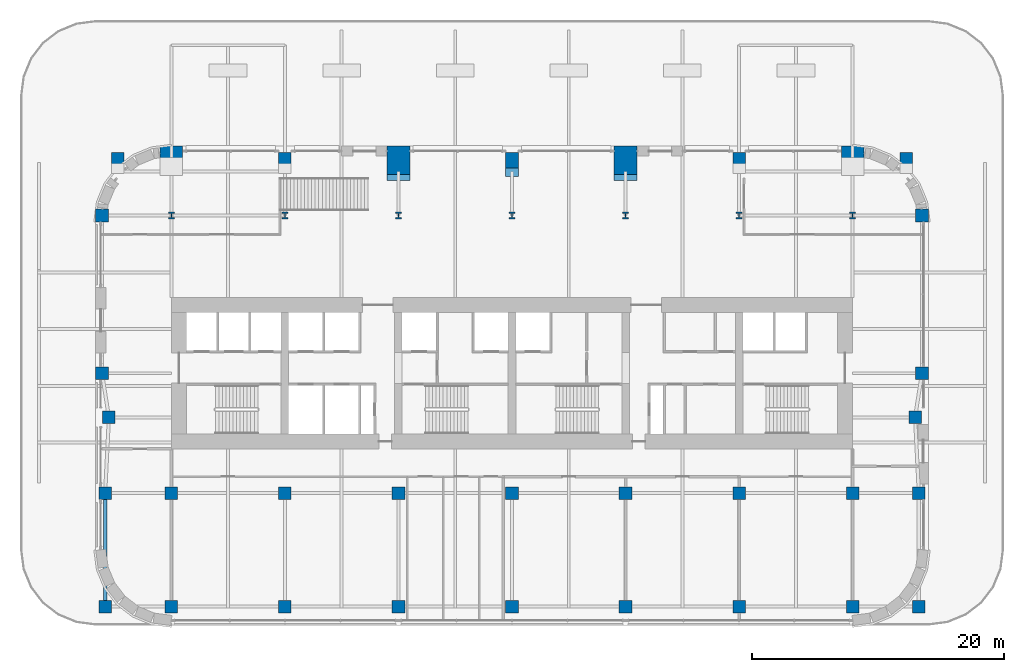
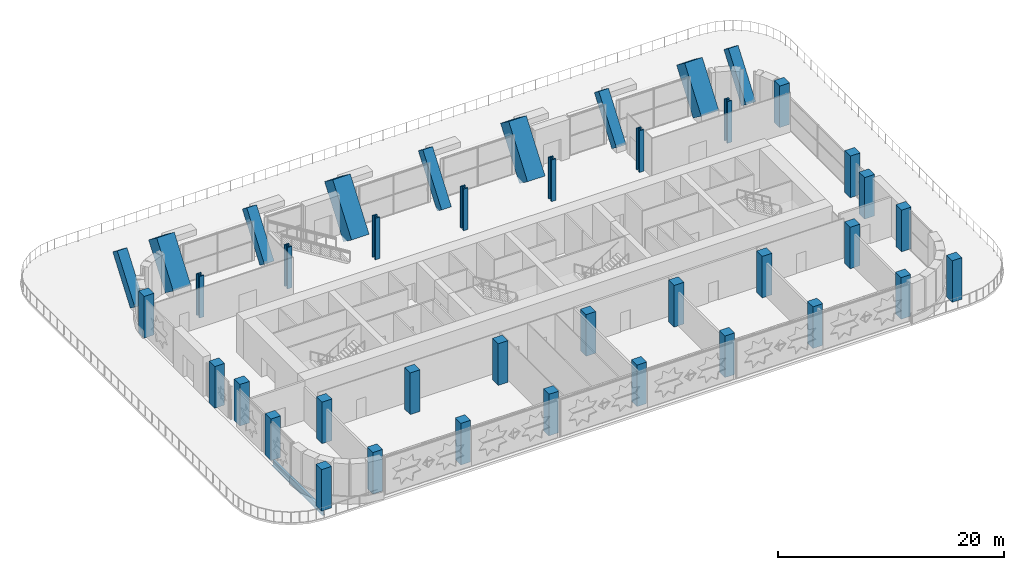
# One storey, part 1 of 26: 40 columns, 1 beam.
"""IFC4 building model written with IfcOpenShell, lengths in metres."""

import ifcopenshell
import ifcopenshell.guid

model = None  # the IFC model being written
_history = None  # IfcOwnerHistory: only IFC2X3 demands one
_inside = {}  # id of a spatial element -> (the spatial element, [elements in it])
_under = {}  # id of a project, library or spatial element -> (it, [spatial elements below it])
_declared = {}  # id of a project -> (the project, [libraries it declares])
_typed = {}  # id of a type object -> (the type object, [elements of that type])
_made_of = {}  # id of a material, layer set ... -> (it, [elements and type objects made of it])


def new_model(schema):
    """Start an empty IFC model of exactly this schema.

    Asked for "IFC4X3", IfcOpenShell would pick the latest addendum, in which some entities
    have other attributes; the version numbers below select the first issue.
    IFC2X3 requires an IfcOwnerHistory on every rooted entity: one is made here for all.
    """
    global model, _history
    if schema == "IFC4X3":
        model = ifcopenshell.file(schema_version=(4, 3, 0, 0))
    else:
        model = ifcopenshell.file(schema=schema)
    _inside.clear()
    _under.clear()
    _declared.clear()
    _typed.clear()
    _made_of.clear()
    _history = None
    if model.schema == "IFC2X3":
        org = make("IfcOrganization", Name="unknown")
        user = make(
            "IfcPersonAndOrganization",
            ThePerson=make("IfcPerson", FamilyName="unknown"),
            TheOrganization=org,
        )
        app = make(
            "IfcApplication",
            ApplicationDeveloper=org,
            Version="unknown",
            ApplicationFullName="unknown",
            ApplicationIdentifier="unknown",
        )
        _history = make(
            "IfcOwnerHistory",
            OwningUser=user,
            OwningApplication=app,
            ChangeAction="ADDED",
            CreationDate=0,
        )
    return model


def make(cls, **values):
    """One entity of the class cls with the attributes given. An attribute that is None is left unset."""
    return model.create_entity(
        cls, **{name: value for name, value in values.items() if value is not None}
    )


def rooted(cls, **values):
    """An entity with a GlobalId (a new one), such as an element, a storey or a relation."""
    return make(cls, GlobalId=ifcopenshell.guid.new(), OwnerHistory=_history, **values)


def si_unit(unit_type, name, prefix=None):
    """IfcSIUnit, for example si_unit("LENGTHUNIT", "METRE", prefix="MILLI")."""
    return make("IfcSIUnit", UnitType=unit_type, Prefix=prefix, Name=name)


def assignment(units):
    """IfcUnitAssignment: the units of a project."""
    return None if units is None else make("IfcUnitAssignment", Units=units)


def point(xyz):
    """IfcCartesianPoint."""
    return None if xyz is None else make("IfcCartesianPoint", Coordinates=xyz)


def direction(xyz):
    """IfcDirection."""
    return None if xyz is None else make("IfcDirection", DirectionRatios=xyz)


def frame(location, z_axis=None, x_axis=None):
    """IfcAxis2Placement3D, a coordinate frame: its origin and axes. An axis left out is left unset."""
    return make(
        "IfcAxis2Placement3D",
        Location=point(location),
        Axis=direction(z_axis),
        RefDirection=direction(x_axis),
    )


def frame_2d(location, x_axis=None):
    """IfcAxis2Placement2D, a coordinate frame in the plane: its origin and x axis."""
    return make(
        "IfcAxis2Placement2D", Location=point(location), RefDirection=direction(x_axis)
    )


def origin():
    """The frame at (0, 0, 0) with its axes left unset."""
    return frame((0.0, 0.0, 0.0))


def origin_2d():
    """The frame at (0, 0) in the plane with its x axis left unset."""
    return frame_2d((0.0, 0.0))


def place(relative_to, where):
    """IfcLocalPlacement: puts the frame where relative to a parent placement (None: the world)."""
    return make(
        "IfcLocalPlacement", PlacementRelTo=relative_to, RelativePlacement=where
    )


def context(
    kind, dimensions, precision=None, world=None, true_north=None, identifier=None
):
    """IfcGeometricRepresentationContext, for example the 3D "Model" context."""
    return make(
        "IfcGeometricRepresentationContext",
        ContextIdentifier=identifier,
        ContextType=kind,
        CoordinateSpaceDimension=dimensions,
        Precision=precision,
        WorldCoordinateSystem=world,
        TrueNorth=true_north,
    )


def subcontext(parent, identifier, kind, view, scale=None):
    """IfcGeometricRepresentationSubContext, for example "Body" below "Model"."""
    return make(
        "IfcGeometricRepresentationSubContext",
        ContextIdentifier=identifier,
        ContextType=kind,
        ParentContext=parent,
        TargetScale=scale,
        TargetView=view,
    )


def project(units=None, contexts=None):
    """IfcProject with its units and contexts."""
    return rooted(
        "IfcProject",
        Name="project",
        RepresentationContexts=contexts,
        UnitsInContext=assignment(units),
    )


def spatial(cls, under=None, at=None, **own):
    """A site, building, storey or space (cls), placed at a placement, below another one or the project."""
    s = rooted(cls, ObjectPlacement=at, **own)
    if under is not None:
        _under.setdefault(under.id(), (under, []))[1].append(s)
    return s


def profile(cls, at=None, kind="AREA", **sizes):
    """A parametric profile (cls). Its sizes go by their IFC names, for example OverallWidth=200.0."""
    return make(cls, ProfileType=kind, Position=at, **sizes)


def rectangle(**sizes):
    """IfcRectangleProfileDef."""
    return profile("IfcRectangleProfileDef", **sizes)


def i_section(**sizes):
    """IfcIShapeProfileDef."""
    return profile("IfcIShapeProfileDef", **sizes)


def extrude(swept, where, along, depth):
    """IfcExtrudedAreaSolid: the profile swept, set in the frame where, extruded along a direction by depth."""
    return make(
        "IfcExtrudedAreaSolid",
        SweptArea=swept,
        Position=where,
        ExtrudedDirection=direction(along),
        Depth=depth,
    )


def clip(a, b, op="DIFFERENCE"):
    """IfcBooleanClippingResult: the solid a cut by the half space b."""
    return make(
        "IfcBooleanClippingResult", Operator=op, FirstOperand=a, SecondOperand=b
    )


def halfspace(plane, agree):
    """IfcHalfSpaceSolid: all space on one side of the plane z = 0 of the frame plane."""
    return make(
        "IfcHalfSpaceSolid",
        BaseSurface=make("IfcPlane", Position=plane),
        AgreementFlag=agree,
    )


def shape(context_of_items, identifier, shape_type, items):
    """IfcShapeRepresentation: the items that make up one representation, for example the "Body"."""
    return make(
        "IfcShapeRepresentation",
        ContextOfItems=context_of_items,
        RepresentationIdentifier=identifier,
        RepresentationType=shape_type,
        Items=items,
    )


def material(Name=None, Category=None):
    """IfcMaterial."""
    return make("IfcMaterial", Name=Name, Category=Category)


def material_profile(
    of_material, cross_section, Name=None, Category=None, Priority=None
):
    """IfcMaterialProfile: a cross section and its material."""
    return make(
        "IfcMaterialProfile",
        Name=Name,
        Material=of_material,
        Profile=cross_section,
        Priority=Priority,
        Category=Category,
    )


def profile_set(profiles, Name=None, composite=None):
    """IfcMaterialProfileSet."""
    return make(
        "IfcMaterialProfileSet",
        Name=Name,
        MaterialProfiles=profiles,
        CompositeProfile=composite,
    )


def made_of(thing, what):
    """Note that an element or type object is made of a material, layer set ...; save() writes the relation."""
    if what is not None:
        _made_of.setdefault(what.id(), (what, []))[1].append(thing)
    return thing


def type_object(cls, material=None, **own):
    """A type object (cls), such as IfcWallType, which elements share."""
    return made_of(rooted(cls, **own), material)


def element(
    cls,
    number,
    at=None,
    inside=None,
    cuts=None,
    type_object=None,
    material=None,
    context=None,
    identifier="Body",
    shape_type=None,
    held_by="IfcProductDefinitionShape",
    body=None,
    shapes=None,
    **own,
):
    """One element of the class cls, such as IfcWall. Its Tag is "e" and its number.

    at: its placement. inside: the storey or other place that contains it. cuts: it is an
    opening in that element (IfcRelVoidsElement). A single representation is given by context,
    identifier, shape_type and body (its items); several are given by shapes. held_by: the class
    of the entity that holds the representations. save() writes the other relations.
    """
    e = rooted(cls, Tag="e%d" % number, ObjectPlacement=at, **own)
    if body is not None:
        shapes = [shape(context, identifier, shape_type, body)]
    if shapes is not None:
        e.Representation = make(held_by, Representations=shapes)
    if inside is not None:
        _inside.setdefault(inside.id(), (inside, []))[1].append(e)
    if cuts is not None:
        rooted(
            "IfcRelVoidsElement", RelatingBuildingElement=cuts, RelatedOpeningElement=e
        )
    if type_object is not None:
        _typed.setdefault(type_object.id(), (type_object, []))[1].append(e)
    return made_of(e, material)


def aggregate(whole, parts):
    """IfcRelAggregates: a whole, such as a stair, and the parts it consists of."""
    return rooted("IfcRelAggregates", RelatingObject=whole, RelatedObjects=parts)


def save(model, path):
    """Write the relations noted so far, then the file.

    IfcRelAggregates (storeys below a building ...), IfcRelContainedInSpatialStructure (elements
    in a storey), IfcRelDefinesByType, IfcRelAssociatesMaterial and IfcRelDeclares: one each for
    every whole, place, type object, material and project.
    """
    for whole, parts in _under.values():
        aggregate(whole, parts)
    for where, things in _inside.values():
        rooted(
            "IfcRelContainedInSpatialStructure",
            RelatedElements=things,
            RelatingStructure=where,
        )
    for kind, things in _typed.values():
        rooted("IfcRelDefinesByType", RelatedObjects=things, RelatingType=kind)
    for what, things in _made_of.values():
        rooted("IfcRelAssociatesMaterial", RelatedObjects=things, RelatingMaterial=what)
    for by, libraries in _declared.values():
        rooted("IfcRelDeclares", RelatingContext=by, RelatedDefinitions=libraries)
    model.write(path)


model = new_model("IFC4")

# Units and contexts
model_context = context("Model", 3, precision=1e-05, world=origin(), true_north=direction((0.0, 1.0)))
body_context = subcontext(model_context, "Body", "Model", "MODEL_VIEW")
ifc_project = project(units=[si_unit("LENGTHUNIT", "METRE"), si_unit("AREAUNIT", "SQUARE_METRE"), si_unit("VOLUMEUNIT", "CUBIC_METRE"), si_unit("PLANEANGLEUNIT", "RADIAN"), si_unit("MASSUNIT", "GRAM", prefix="KILO")], contexts=[model_context])

# Site, building, storey
site_placement = place(None, origin())
site = spatial("IfcSite", under=ifc_project, at=site_placement, CompositionType="ELEMENT")
building_placement = place(site_placement, origin())
building = spatial("IfcBuilding", under=site, at=building_placement, Name="Zellij Exchange Tower", CompositionType="ELEMENT")
storey_placement = place(building_placement, frame((0.0, 0.0, 39.0)))
storey = spatial("IfcBuildingStorey", under=building, at=storey_placement, Name="L06", CompositionType="ELEMENT", Elevation=39.0)

# Columns
ifc_material_1 = material(Name="Concrete C70/85", Category="concrete")
ifc_material_profile_1 = material_profile(ifc_material_1, rectangle(XDim=1.0, YDim=1.0, at=origin_2d()), Name="STR-COLUMN RC1000x1000 C70/85")
ifc_profile_set_1 = profile_set([ifc_material_profile_1], Name="Concrete C70/85")
column_type_1 = type_object("IfcColumnType", Name="STR-COLUMN RC1000x1000 C70/85", PredefinedType="COLUMN", material=ifc_profile_set_1)
for number, where, z_axis, x_axis, name in (
    (1, (-32.25, -26.5, 0.0), (0.0, 0.0, 1.0), (1.0, 0.0, 0.0), "C10"),
    (2, (-27.0, -26.5, 0.0), (0.0, 0.0, 1.0), (1.0, 0.0, 0.0), "C10"),
    (3, (-18.0, -26.5, 0.0), (0.0, 0.0, 1.0), (1.0, 0.0, 0.0), "C10"),
    (4, (-9.0, -26.5, 0.0), (0.0, 0.0, 1.0), (1.0, 0.0, 0.0), "C10"),
    (5, (0.0, -26.5, 0.0), (0.0, 0.0, 1.0), (1.0, 0.0, 0.0), "C10"),
    (6, (9.0, -26.5, 0.0), (0.0, 0.0, 1.0), (1.0, 0.0, 0.0), "C10"),
    (7, (18.0, -26.5, 0.0), (0.0, 0.0, 1.0), (1.0, 0.0, 0.0), "C10"),
    (8, (27.0, -26.5, 0.0), (0.0, 0.0, 1.0), (1.0, 0.0, 0.0), "C10"),
    (9, (32.25, -26.5, 0.0), (0.0, 0.0, 1.0), (1.0, 0.0, 0.0), "C10"),
    (10, (-32.25, -17.5, 0.0), (0.0, 0.0, 1.0), (1.0, 0.0, 0.0), "C10"),
    (11, (-27.0, -17.5, 0.0), (0.0, 0.0, 1.0), (1.0, 0.0, 0.0), "C10"),
    (12, (-18.0, -17.5, 0.0), (0.0, 0.0, 1.0), (1.0, 0.0, 0.0), "C10"),
    (13, (-9.0, -17.5, 0.0), (0.0, 0.0, 1.0), (1.0, 0.0, 0.0), "C10"),
    (14, (0.0, -17.5, 0.0), (0.0, 0.0, 1.0), (1.0, 0.0, 0.0), "C10"),
    (15, (9.0, -17.5, 0.0), (0.0, 0.0, 1.0), (1.0, 0.0, 0.0), "C10"),
    (16, (18.0, -17.5, 0.0), (0.0, 0.0, 1.0), (1.0, 0.0, 0.0), "C10"),
    (17, (27.0, -17.5, 0.0), (0.0, 0.0, 1.0), (1.0, 0.0, 0.0), "C10"),
    (18, (32.25, -17.5, 0.0), (0.0, 0.0, 1.0), (1.0, 0.0, 0.0), "C10"),
    (19, (-31.949951171875, -11.5, 0.0), (0.0, 0.0, 1.0), (1.0, 0.0, 0.0), "C10"),
    (20, (31.949951171875, -11.5, 0.0), (0.0, 0.0, 1.0), (1.0, 0.0, 0.0), "C10"),
    (21, (-32.5, -8.0, 0.0), (0.0, 0.0, 1.0), (1.0, 0.0, 0.0), "C10"),
    (22, (32.5, -8.0, 0.0), (0.0, 0.0, 1.0), (1.0, 0.0, 0.0), "C10"),
    (23, (-32.5, 4.5, 0.0), (0.0, 0.0, 1.0), (1.0, 0.0, 0.0), "C10"),
    (24, (32.5, 4.5, 0.0), (0.0, 0.0, 1.0), (1.0, 0.0, 0.0), "C10"),
):
    element("IfcColumn", number, at=place(storey_placement, frame(where, z_axis=z_axis, x_axis=x_axis)), inside=storey, type_object=column_type_1, Name=name, PredefinedType="COLUMN", context=body_context, shape_type="SweptSolid", body=[
        extrude(rectangle(XDim=1.0, YDim=1.0, at=origin_2d()), origin(), (0.0, 0.0, 1.0), 4.5),
    ])
for number, where, z_axis, x_axis, name in (
    (25, (-31.25, 8.0, 0.0), (0.0, 0.595218167181, 0.80356414396), (-1.0, 0.0, 0.0), "C10"),
    (26, (-18.0, 8.0, 0.0), (0.0, 0.595218167181, 0.80356414396), (-1.0, 0.0, 0.0), "C10"),
):
    element("IfcColumn", number, at=place(storey_placement, frame(where, z_axis=z_axis, x_axis=x_axis)), inside=storey, type_object=column_type_1, Name=name, PredefinedType="COLUMN", context=body_context, shape_type="Clipping", body=[
        clip(extrude(rectangle(XDim=1.0, YDim=1.0, at=origin_2d()), origin(), (0.0, 0.0, 1.0), 5.60009765625), halfspace(frame((0.0, 0.0, 0.370361328125)), True)),
    ])
column_1_placement = place(storey_placement, frame((0.0, 8.0, 0.0), z_axis=(0.0, 0.595218167181, 0.80356414396), x_axis=(-1.0, 0.0, 0.0)))
element("IfcColumn", 27, at=column_1_placement, inside=storey, type_object=column_type_1, Name="C10", PredefinedType="COLUMN", context=body_context, shape_type="SweptSolid", body=[
    extrude(rectangle(XDim=1.0, YDim=1.0, at=origin_2d()), origin(), (0.0, 0.0, 1.0), 5.60009765625),
])
for number, where, z_axis, x_axis, name in (
    (28, (18.0, 8.0, 0.0), (0.0, 0.595218167181, 0.80356414396), (-1.0, 0.0, 0.0), "C10"),
    (29, (31.25, 8.0, 0.0), (0.0, 0.595218167181, 0.80356414396), (-1.0, 0.0, 0.0), "C10"),
):
    element("IfcColumn", number, at=place(storey_placement, frame(where, z_axis=z_axis, x_axis=x_axis)), inside=storey, type_object=column_type_1, Name=name, PredefinedType="COLUMN", context=body_context, shape_type="Clipping", body=[
        clip(extrude(rectangle(XDim=1.0, YDim=1.0, at=origin_2d()), origin(), (0.0, 0.0, 1.0), 5.60009765625), halfspace(frame((0.0, 0.0, 0.370361328125)), True)),
    ])
ifc_material_2 = material(Name="Structural steel ASTM A913 Gr 65", Category="steel")
ifc_material_profile_2 = material_profile(ifc_material_2, i_section(OverallWidth=0.45458984375, OverallDepth=0.56884765625, WebThickness=0.077880859375, FlangeThickness=0.124755859375, at=origin_2d()), Name="W14x730")
ifc_profile_set_2 = profile_set([ifc_material_profile_2], Name="Structural steel ASTM A913 Gr 65")
column_type_2 = type_object("IfcColumnType", Name="STR-COLUMN W14x730", PredefinedType="COLUMN", material=ifc_profile_set_2)
for number, where, z_axis, x_axis, name in (
    (30, (-27.0, 4.5, 0.0), (0.0, 0.0, 1.0), (1.0, 0.0, 0.0), "C7"),
    (31, (-18.0, 4.5, 0.0), (0.0, 0.0, 1.0), (1.0, 0.0, 0.0), "C7"),
    (32, (-9.0, 4.5, 0.0), (0.0, 0.0, 1.0), (1.0, 0.0, 0.0), "C7"),
    (33, (0.0, 4.5, 0.0), (0.0, 0.0, 1.0), (1.0, 0.0, 0.0), "C7"),
    (34, (9.0, 4.5, 0.0), (0.0, 0.0, 1.0), (1.0, 0.0, 0.0), "C7"),
    (35, (18.0, 4.5, 0.0), (0.0, 0.0, 1.0), (1.0, 0.0, 0.0), "C7"),
    (36, (27.0, 4.5, 0.0), (0.0, 0.0, 1.0), (1.0, 0.0, 0.0), "C7"),
):
    element("IfcColumn", number, at=place(storey_placement, frame(where, z_axis=z_axis, x_axis=x_axis)), inside=storey, type_object=column_type_2, Name=name, PredefinedType="COLUMN", context=body_context, shape_type="SweptSolid", body=[
        extrude(i_section(OverallWidth=0.45458984375, OverallDepth=0.56884765625, WebThickness=0.077880859375, FlangeThickness=0.124755859375, at=origin_2d()), origin(), (0.0, 0.0, 1.0), 4.5),
    ])
ifc_material_profile_3 = material_profile(ifc_material_1, rectangle(XDim=1.800048828125, YDim=1.800048828125, at=origin_2d()), Name="STR-MEGA COLUMN RC1800x1800 C70/85")
ifc_profile_set_3 = profile_set([ifc_material_profile_3], Name="Concrete C70/85")
column_type_3 = type_object("IfcColumnType", Name="STR-MEGA COLUMN RC1800x1800 C70/85", PredefinedType="COLUMN", material=ifc_profile_set_3)
column_2_placement = place(storey_placement, frame((-27.0, 8.0, 0.0), z_axis=(0.0, 0.595218167181, 0.80356414396), x_axis=(-1.0, 0.0, 0.0)))
element("IfcColumn", 37, at=column_2_placement, inside=storey, type_object=column_type_3, Name="MC7", PredefinedType="COLUMN", context=body_context, shape_type="Clipping", body=[
    clip(extrude(rectangle(XDim=1.800048828125, YDim=1.800048828125, at=origin_2d()), origin(), (0.0, 0.0, 1.0), 5.60009765625), halfspace(frame((0.0, 0.0, 0.666748046875)), True)),
])
for number, where, z_axis, x_axis, name in (
    (38, (-9.0, 8.0, 0.0), (0.0, 0.595218167181, 0.80356414396), (-1.0, 0.0, 0.0), "MC7"),
    (39, (9.0, 8.0, 0.0), (0.0, 0.595218167181, 0.80356414396), (-1.0, 0.0, 0.0), "MC7"),
):
    element("IfcColumn", number, at=place(storey_placement, frame(where, z_axis=z_axis, x_axis=x_axis)), inside=storey, type_object=column_type_3, Name=name, PredefinedType="COLUMN", context=body_context, shape_type="SweptSolid", body=[
        extrude(rectangle(XDim=1.800048828125, YDim=1.800048828125, at=origin_2d()), origin(), (0.0, 0.0, 1.0), 5.60009765625),
    ])
column_3_placement = place(storey_placement, frame((27.0, 8.0, 0.0), z_axis=(0.0, 0.595218167181, 0.80356414396), x_axis=(-1.0, 0.0, 0.0)))
element("IfcColumn", 40, at=column_3_placement, inside=storey, type_object=column_type_3, Name="MC7", PredefinedType="COLUMN", context=body_context, shape_type="Clipping", body=[
    clip(extrude(rectangle(XDim=1.800048828125, YDim=1.800048828125, at=origin_2d()), origin(), (0.0, 0.0, 1.0), 5.60009765625), halfspace(frame((0.0, 0.0, 0.666748046875)), True)),
])

# Beam
ifc_material_3 = material(Name="Structural steel ASTM A992 Gr 50", Category="steel")
ifc_material_profile_4 = material_profile(ifc_material_3, i_section(OverallWidth=0.25390625, OverallDepth=0.67822265625, WebThickness=0.01171875, FlangeThickness=0.016357421875, at=origin_2d()), Name="W27x84")
ifc_profile_set_4 = profile_set([ifc_material_profile_4], Name="Structural steel ASTM A992 Gr 50")
beam_type = type_object("IfcBeamType", Name="STR-EDGE GIRDER W27x84", PredefinedType="BEAM", material=ifc_profile_set_4)
beam_placement = place(storey_placement, frame((-32.25, -26.5, -0.589111328125), z_axis=(0.0, 1.0, 0.0), x_axis=(-1.0, 0.0, 0.0)))
element("IfcBeam", 41, at=beam_placement, inside=storey, type_object=beam_type, Name="EB7", PredefinedType="BEAM", context=body_context, shape_type="SweptSolid", body=[
    extrude(i_section(OverallWidth=0.25390625, OverallDepth=0.67822265625, WebThickness=0.01171875, FlangeThickness=0.016357421875, at=origin_2d()), origin(), (0.0, 0.0, 1.0), 9.0),
])

save(model, "model.ifc")
